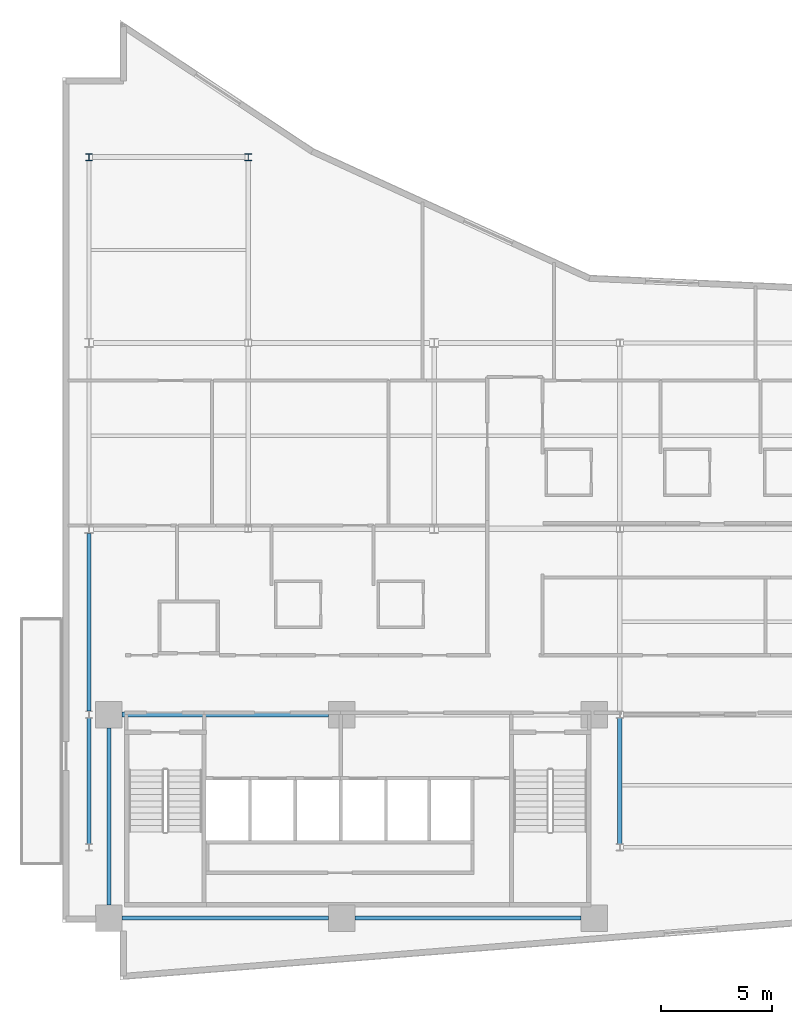
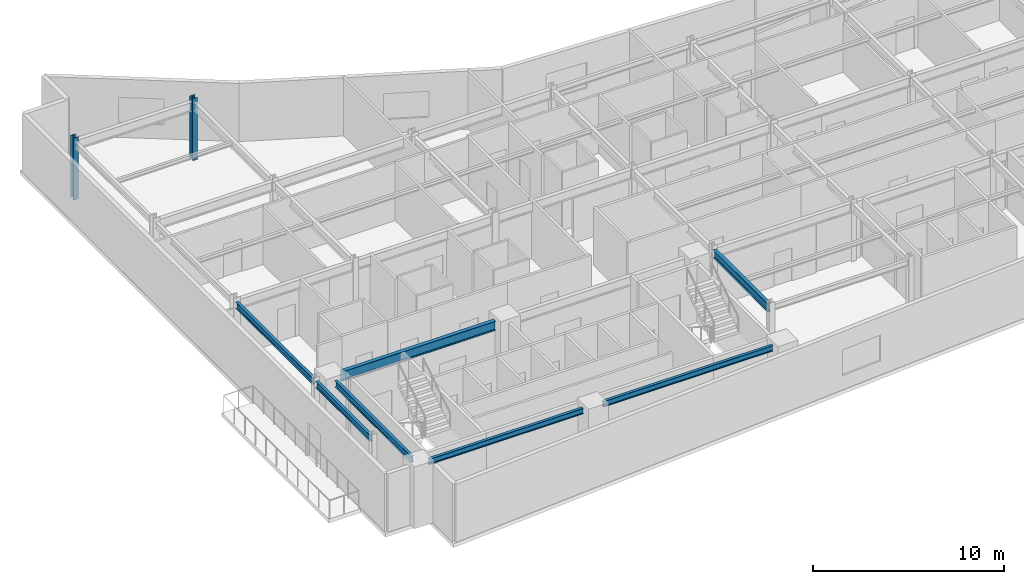
# One storey, part 3 of 18: 7 beams, 2 columns.
"""IFC4 building model written with IfcOpenShell, lengths in metres."""

from ifc_helpers import new_model, si_unit, direction, frame, origin, origin_2d, place, context, subcontext, project, spatial, i_section, extrude, material, material_profile, profile_set, type_object, element, save


model = new_model("IFC4")

# Units and contexts
model_context = context("Model", 3, precision=1e-05, world=origin(), true_north=direction((0.0, 1.0)))
body_context = subcontext(model_context, "Body", "Model", "MODEL_VIEW")
ifc_project = project(units=[si_unit("LENGTHUNIT", "METRE"), si_unit("AREAUNIT", "SQUARE_METRE"), si_unit("VOLUMEUNIT", "CUBIC_METRE"), si_unit("PLANEANGLEUNIT", "RADIAN"), si_unit("MASSUNIT", "GRAM", prefix="KILO")], contexts=[model_context])

# Site, building, storey
site_placement = place(None, origin())
site = spatial("IfcSite", under=ifc_project, at=site_placement, CompositionType="ELEMENT")
building_placement = place(site_placement, origin())
building = spatial("IfcBuilding", under=site, at=building_placement, Name="Varnakote Quay Hospital", CompositionType="ELEMENT")
storey_placement = place(building_placement, frame((0.0, 0.0, 158.64990234375)))
storey = spatial("IfcBuildingStorey", under=building, at=storey_placement, Name="L39", CompositionType="ELEMENT", Elevation=158.64990234375)

# Columns
ifc_material_1 = material(Name="Structural steel AS/NZS 3679.1 Grade 350 L0 (fy 340 MPa)", Category="steel")
ifc_material_profile_1 = material_profile(ifc_material_1, i_section(OverallWidth=0.306884765625, OverallDepth=0.31494140625, WebThickness=0.011962890625, FlangeThickness=0.018798828125, FilletRadius=0.0166015625, at=origin_2d()), Name="310UC118")
ifc_profile_set_1 = profile_set([ifc_material_profile_1], Name="Structural steel AS/NZS 3679.1 Grade 350 L0 (fy 340 MPa)")
column_type = type_object("IfcColumnType", Name="COL-STL-310UC118", PredefinedType="COLUMN", material=ifc_profile_set_1)
for number, where, z_axis, x_axis, name in (
    (1, (1.199951171875, 37.199951171875, 0.0), (0.0, 0.0, 1.0), (1.0, 0.0, 0.0), "L39 Structural Column C-1-37"),
    (2, (8.39990234375, 37.199951171875, 0.0), (0.0, 0.0, 1.0), (1.0, 0.0, 0.0), "L39 Structural Column C-8-37"),
):
    element("IfcColumn", number, at=place(storey_placement, frame(where, z_axis=z_axis, x_axis=x_axis)), inside=storey, type_object=column_type, Name=name, PredefinedType="COLUMN", context=body_context, shape_type="SweptSolid", body=[
        extrude(i_section(OverallWidth=0.306884765625, OverallDepth=0.31494140625, WebThickness=0.011962890625, FlangeThickness=0.018798828125, FilletRadius=0.0166015625, at=origin_2d()), origin(), (0.0, 0.0, 1.0), 3.9501953125),
    ])

# Beams
ifc_material_2 = material(Name="Structural steel AS/NZS 3679.1 Grade 350 L0 (fy 340 MPa)", Category="steel")
ifc_material_profile_2 = material_profile(ifc_material_2, i_section(OverallWidth=0.208984375, OverallDepth=0.532958984375, WebThickness=0.01025390625, FlangeThickness=0.015625, FilletRadius=0.013916015625, at=origin_2d()), Name="530UB92.4")
ifc_profile_set_2 = profile_set([ifc_material_profile_2], Name="Structural steel AS/NZS 3679.1 Grade 350 L0 (fy 340 MPa)")
beam_type_1 = type_object("IfcBeamType", Name="BM-STL-530UB92-4", PredefinedType="BEAM", material=ifc_profile_set_2)
beam_1_placement = place(storey_placement, frame((25.199951171875, 6.157470703125, 3.443603515625), z_axis=(0.0, 1.0, 0.0), x_axis=(-1.0, 0.0, 0.0)))
element("IfcBeam", 3, at=beam_1_placement, inside=storey, type_object=beam_type_1, Name="L39 Primary Tie Beam", PredefinedType="BEAM", context=body_context, shape_type="SweptSolid", body=[
    extrude(i_section(OverallWidth=0.208984375, OverallDepth=0.532958984375, WebThickness=0.01025390625, FlangeThickness=0.015625, FilletRadius=0.013916015625, at=origin_2d()), origin(), (0.0, 0.0, 1.0), 5.68505859375),
])
ifc_material_3 = material(Name="Structural steel AS/NZS 3679.1 Grade 350 L0 (fy 340 MPa)", Category="steel")
ifc_material_profile_3 = material_profile(ifc_material_3, i_section(OverallWidth=0.22802734375, OverallDepth=0.60205078125, WebThickness=0.010498046875, FlangeThickness=0.014892578125, FilletRadius=0.013916015625, at=origin_2d()), Name="610UB101")
ifc_profile_set_3 = profile_set([ifc_material_profile_3], Name="Structural steel AS/NZS 3679.1 Grade 350 L0 (fy 340 MPa)")
beam_type_2 = type_object("IfcBeamType", Name="BM-STL-610UB101", PredefinedType="BEAM", material=ifc_profile_set_3)
beam_2_placement = place(storey_placement, frame((2.699951171875, 12.0, 3.4091796875), z_axis=(1.0, 0.0, 0.0), x_axis=(0.0, 1.0, 0.0)))
element("IfcBeam", 4, at=beam_2_placement, inside=storey, type_object=beam_type_2, Name="L39 Primary Floor Beam", PredefinedType="BEAM", context=body_context, shape_type="SweptSolid", body=[
    extrude(i_section(OverallWidth=0.22802734375, OverallDepth=0.60205078125, WebThickness=0.010498046875, FlangeThickness=0.014892578125, FilletRadius=0.013916015625, at=origin_2d()), origin(), (0.0, 0.0, 1.0), 9.320068359375),
])
ifc_material_4 = material(Name="Structural steel AS/NZS 3679.1 Grade 350 L0 (fy 340 MPa)", Category="steel")
ifc_material_profile_4 = material_profile(ifc_material_4, i_section(OverallWidth=0.172119140625, OverallDepth=0.35888671875, WebThickness=0.008056640625, FlangeThickness=0.012939453125, FilletRadius=0.011474609375, at=origin_2d()), Name="360UB56.7")
ifc_profile_set_4 = profile_set([ifc_material_profile_4], Name="Structural steel AS/NZS 3679.1 Grade 350 L0 (fy 340 MPa)")
beam_type_3 = type_object("IfcBeamType", Name="SPN-STL-360UB56-7", PredefinedType="SPANDREL", material=ifc_profile_set_4)
beam_3_placement = place(storey_placement, frame((2.699951171875, 2.800048828125, 3.530517578125), z_axis=(1.0, 0.0, 0.0), x_axis=(0.0, 1.0, 0.0)))
element("IfcBeam", 5, at=beam_3_placement, inside=storey, type_object=beam_type_3, Name="L39 Perimeter Spandrel Beam", PredefinedType="SPANDREL", context=body_context, shape_type="SweptSolid", body=[
    extrude(i_section(OverallWidth=0.172119140625, OverallDepth=0.35888671875, WebThickness=0.008056640625, FlangeThickness=0.012939453125, FilletRadius=0.011474609375, at=origin_2d()), origin(), (0.0, 0.0, 1.0), 9.320068359375),
])
beam_4_placement = place(storey_placement, frame((13.219970703125, 2.800048828125, 3.530517578125), z_axis=(1.0, 0.0, 0.0), x_axis=(0.0, 1.0, 0.0)))
element("IfcBeam", 6, at=beam_4_placement, inside=storey, type_object=beam_type_3, Name="L39 Perimeter Spandrel Beam", PredefinedType="SPANDREL", context=body_context, shape_type="SweptSolid", body=[
    extrude(i_section(OverallWidth=0.172119140625, OverallDepth=0.35888671875, WebThickness=0.008056640625, FlangeThickness=0.012939453125, FilletRadius=0.011474609375, at=origin_2d()), origin(), (0.0, 0.0, 1.0), 10.22998046875),
])
ifc_material_5 = material(Name="Structural steel AS/NZS 3679.1 Grade 350 L0 (fy 340 MPa)", Category="steel")
ifc_material_profile_5 = material_profile(ifc_material_5, i_section(OverallWidth=0.177978515625, OverallDepth=0.403076171875, WebThickness=0.007568359375, FlangeThickness=0.010986328125, FilletRadius=0.011474609375, at=origin_2d()), Name="410UB53.7")
ifc_profile_set_5 = profile_set([ifc_material_profile_5], Name="Structural steel AS/NZS 3679.1 Grade 350 L0 (fy 340 MPa)")
beam_type_4 = type_object("IfcBeamType", Name="SPN-STL-410UB53-7", PredefinedType="SPANDREL", material=ifc_profile_set_5)
beam_5_placement = place(storey_placement, frame((1.199951171875, 6.157470703125, 3.508544921875), z_axis=(0.0, 1.0, 0.0), x_axis=(-1.0, 0.0, 0.0)))
element("IfcBeam", 7, at=beam_5_placement, inside=storey, type_object=beam_type_4, Name="L39 Perimeter Spandrel Beam", PredefinedType="SPANDREL", context=body_context, shape_type="SweptSolid", body=[
    extrude(i_section(OverallWidth=0.177978515625, OverallDepth=0.403076171875, WebThickness=0.007568359375, FlangeThickness=0.010986328125, FilletRadius=0.011474609375, at=origin_2d()), origin(), (0.0, 0.0, 1.0), 5.68505859375),
])
beam_6_placement = place(storey_placement, frame((1.199951171875, 12.157470703125, 3.508544921875), z_axis=(0.0, 1.0, 0.0), x_axis=(-1.0, 0.0, 0.0)))
element("IfcBeam", 8, at=beam_6_placement, inside=storey, type_object=beam_type_4, Name="L39 Perimeter Spandrel Beam", PredefinedType="SPANDREL", context=body_context, shape_type="SweptSolid", body=[
    extrude(i_section(OverallWidth=0.177978515625, OverallDepth=0.403076171875, WebThickness=0.007568359375, FlangeThickness=0.010986328125, FilletRadius=0.011474609375, at=origin_2d()), origin(), (0.0, 0.0, 1.0), 8.032470703125),
])
beam_7_placement = place(storey_placement, frame((2.10009765625, 3.39990234375, 3.508544921875), z_axis=(0.0, 1.0, 0.0), x_axis=(-1.0, 0.0, 0.0)))
element("IfcBeam", 9, at=beam_7_placement, inside=storey, type_object=beam_type_4, Name="L39 Perimeter Spandrel Beam", PredefinedType="SPANDREL", context=body_context, shape_type="SweptSolid", body=[
    extrude(i_section(OverallWidth=0.177978515625, OverallDepth=0.403076171875, WebThickness=0.007568359375, FlangeThickness=0.010986328125, FilletRadius=0.011474609375, at=origin_2d()), origin(), (0.0, 0.0, 1.0), 8.0),
])

save(model, "model.ifc")
